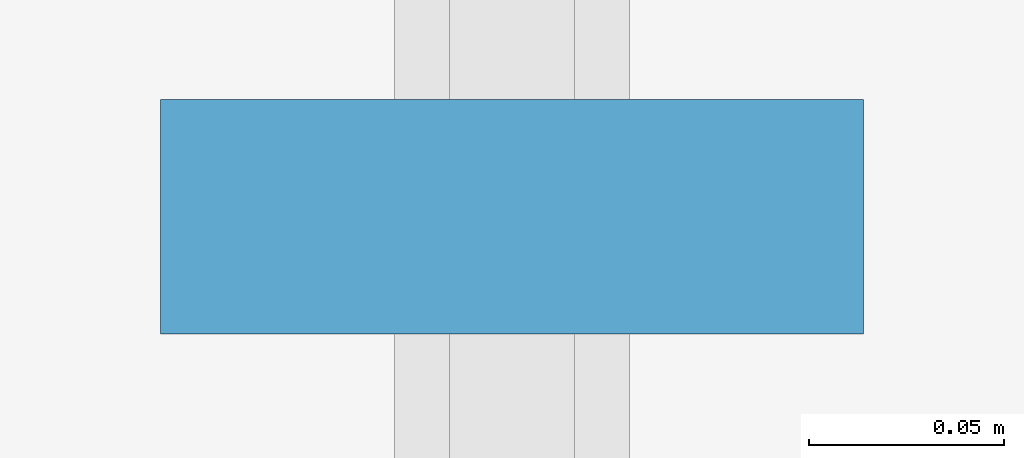
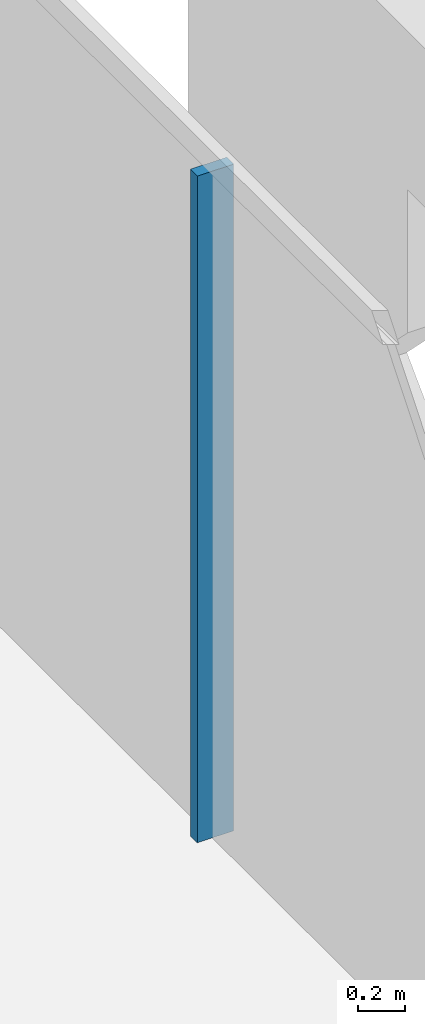
# One storey, part 5 of 20: 1 member, 1 element without a shape of its own.
"""IFC4 building model written with IfcOpenShell, lengths in metres."""

from ifc_helpers import new_model, si_unit, direction, frame, origin, origin_2d, place, context, subcontext, project, spatial, rectangle, extrude, material, layer, layer_set, material_profile, profile_set, type_object, element, aggregate, save


model = new_model("IFC4")

# Units and contexts
model_context = context("Model", 3, precision=1e-05, world=origin(), true_north=direction((0.0, 1.0)))
body_context = subcontext(model_context, "Body", "Model", "MODEL_VIEW")
ifc_project = project(units=[si_unit("LENGTHUNIT", "METRE"), si_unit("AREAUNIT", "SQUARE_METRE"), si_unit("VOLUMEUNIT", "CUBIC_METRE"), si_unit("PLANEANGLEUNIT", "RADIAN"), si_unit("MASSUNIT", "GRAM", prefix="KILO")], contexts=[model_context])

# Site, building, storey
site_placement = place(None, origin())
site = spatial("IfcSite", under=ifc_project, at=site_placement, CompositionType="ELEMENT")
building_placement = place(site_placement, origin())
building = spatial("IfcBuilding", under=site, at=building_placement, Name="Kawkab Arch Medical Tower", CompositionType="ELEMENT")
storey_placement = place(building_placement, frame((0.0, 0.0, 290.199951171875)))
storey = spatial("IfcBuildingStorey", under=building, at=storey_placement, Name="L67", CompositionType="ELEMENT", Elevation=290.199951171875)

# Curtain wall, member
ifc_material_1 = material(Name="Bronze anodised aluminium curtain wall frame", Category="aluminium")
ifc_layer = layer(ifc_material_1, 0.159912109375)
ifc_layer_set = layer_set([ifc_layer], Name="Bronze anodised aluminium curtain wall frame")
curtain_wall_type = type_object("IfcCurtainWallType", Name="CW1 ward curtain wall", PredefinedType="NOTDEFINED", material=ifc_layer_set)
curtain_wall_placement = place(storey_placement, origin())
curtain_wall = element("IfcCurtainWall", 1, at=curtain_wall_placement, inside=storey, type_object=curtain_wall_type, Name="CW1 Ward curtain wall R13", PredefinedType="NOTDEFINED")
ifc_material_2 = material(Name="Bronze anodised aluminium curtain wall frame", Category="aluminium")
ifc_material_profile = material_profile(ifc_material_2, rectangle(XDim=0.179931640625, YDim=0.06005859375, at=origin_2d()), Name="AL 60x180")
ifc_profile_set = profile_set([ifc_material_profile], Name="Bronze anodised aluminium curtain wall frame")
member_type = type_object("IfcMemberType", Name="CW1 mullion 60 x 180", PredefinedType="MULLION", material=ifc_profile_set)
member_placement = place(storey_placement, frame((58.800048828125, -14.666748046875, 0.0), z_axis=(0.0, 0.0, 1.0), x_axis=(-1.0, 0.0, 0.0)))
member = element("IfcMember", 2, at=member_placement, type_object=member_type, Name="CW1 mullion 1.1", PredefinedType="MULLION", context=body_context, shape_type="SweptSolid", body=[
    extrude(rectangle(XDim=0.179931640625, YDim=0.06005859375, at=origin_2d()), origin(), (0.0, 0.0, 1.0), 3.47998046875),
])
aggregate(curtain_wall, [member])

save(model, "model.ifc")
